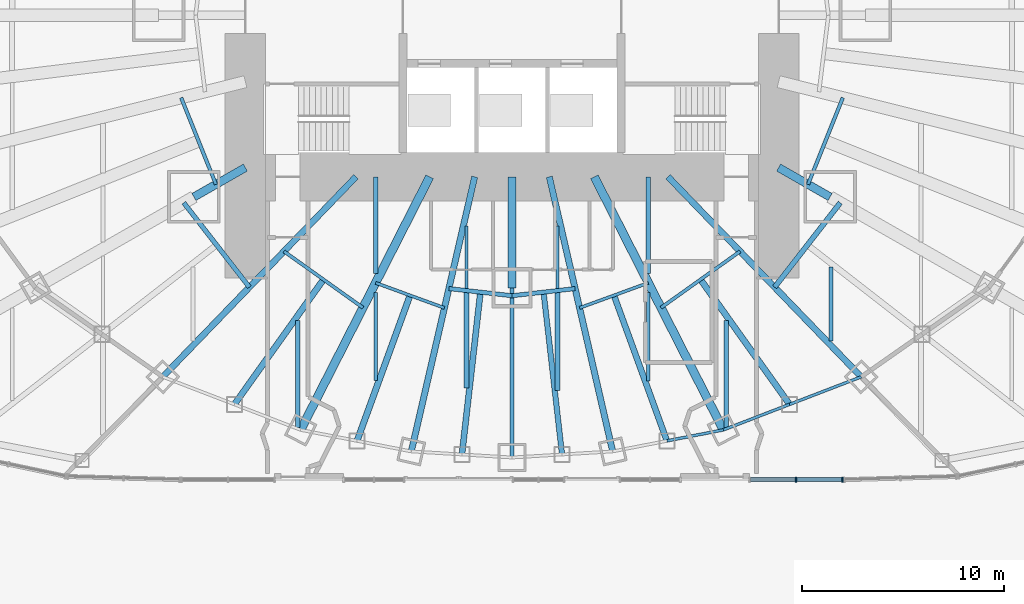
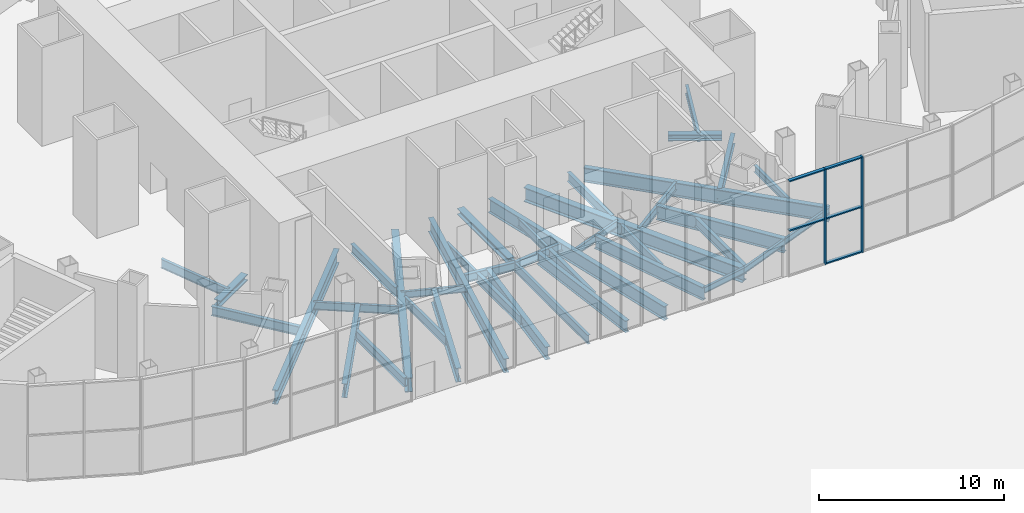
# One storey, part 4 of 47: 40 beams, 7 members, 1 element without a shape of its own.
"""IFC4 building model written with IfcOpenShell, lengths in metres."""

import ifcopenshell
import ifcopenshell.guid

model = None  # the IFC model being written
_history = None  # IfcOwnerHistory: only IFC2X3 demands one
_inside = {}  # id of a spatial element -> (the spatial element, [elements in it])
_under = {}  # id of a project, library or spatial element -> (it, [spatial elements below it])
_declared = {}  # id of a project -> (the project, [libraries it declares])
_typed = {}  # id of a type object -> (the type object, [elements of that type])
_made_of = {}  # id of a material, layer set ... -> (it, [elements and type objects made of it])


def new_model(schema):
    """Start an empty IFC model of exactly this schema.

    Asked for "IFC4X3", IfcOpenShell would pick the latest addendum, in which some entities
    have other attributes; the version numbers below select the first issue.
    IFC2X3 requires an IfcOwnerHistory on every rooted entity: one is made here for all.
    """
    global model, _history
    if schema == "IFC4X3":
        model = ifcopenshell.file(schema_version=(4, 3, 0, 0))
    else:
        model = ifcopenshell.file(schema=schema)
    _inside.clear()
    _under.clear()
    _declared.clear()
    _typed.clear()
    _made_of.clear()
    _history = None
    if model.schema == "IFC2X3":
        org = make("IfcOrganization", Name="unknown")
        user = make(
            "IfcPersonAndOrganization",
            ThePerson=make("IfcPerson", FamilyName="unknown"),
            TheOrganization=org,
        )
        app = make(
            "IfcApplication",
            ApplicationDeveloper=org,
            Version="unknown",
            ApplicationFullName="unknown",
            ApplicationIdentifier="unknown",
        )
        _history = make(
            "IfcOwnerHistory",
            OwningUser=user,
            OwningApplication=app,
            ChangeAction="ADDED",
            CreationDate=0,
        )
    return model


def make(cls, **values):
    """One entity of the class cls with the attributes given. An attribute that is None is left unset."""
    return model.create_entity(
        cls, **{name: value for name, value in values.items() if value is not None}
    )


def rooted(cls, **values):
    """An entity with a GlobalId (a new one), such as an element, a storey or a relation."""
    return make(cls, GlobalId=ifcopenshell.guid.new(), OwnerHistory=_history, **values)


def si_unit(unit_type, name, prefix=None):
    """IfcSIUnit, for example si_unit("LENGTHUNIT", "METRE", prefix="MILLI")."""
    return make("IfcSIUnit", UnitType=unit_type, Prefix=prefix, Name=name)


def assignment(units):
    """IfcUnitAssignment: the units of a project."""
    return None if units is None else make("IfcUnitAssignment", Units=units)


def point(xyz):
    """IfcCartesianPoint."""
    return None if xyz is None else make("IfcCartesianPoint", Coordinates=xyz)


def direction(xyz):
    """IfcDirection."""
    return None if xyz is None else make("IfcDirection", DirectionRatios=xyz)


def frame(location, z_axis=None, x_axis=None):
    """IfcAxis2Placement3D, a coordinate frame: its origin and axes. An axis left out is left unset."""
    return make(
        "IfcAxis2Placement3D",
        Location=point(location),
        Axis=direction(z_axis),
        RefDirection=direction(x_axis),
    )


def frame_2d(location, x_axis=None):
    """IfcAxis2Placement2D, a coordinate frame in the plane: its origin and x axis."""
    return make(
        "IfcAxis2Placement2D", Location=point(location), RefDirection=direction(x_axis)
    )


def origin():
    """The frame at (0, 0, 0) with its axes left unset."""
    return frame((0.0, 0.0, 0.0))


def origin_2d():
    """The frame at (0, 0) in the plane with its x axis left unset."""
    return frame_2d((0.0, 0.0))


def place(relative_to, where):
    """IfcLocalPlacement: puts the frame where relative to a parent placement (None: the world)."""
    return make(
        "IfcLocalPlacement", PlacementRelTo=relative_to, RelativePlacement=where
    )


def context(
    kind, dimensions, precision=None, world=None, true_north=None, identifier=None
):
    """IfcGeometricRepresentationContext, for example the 3D "Model" context."""
    return make(
        "IfcGeometricRepresentationContext",
        ContextIdentifier=identifier,
        ContextType=kind,
        CoordinateSpaceDimension=dimensions,
        Precision=precision,
        WorldCoordinateSystem=world,
        TrueNorth=true_north,
    )


def subcontext(parent, identifier, kind, view, scale=None):
    """IfcGeometricRepresentationSubContext, for example "Body" below "Model"."""
    return make(
        "IfcGeometricRepresentationSubContext",
        ContextIdentifier=identifier,
        ContextType=kind,
        ParentContext=parent,
        TargetScale=scale,
        TargetView=view,
    )


def project(units=None, contexts=None):
    """IfcProject with its units and contexts."""
    return rooted(
        "IfcProject",
        Name="project",
        RepresentationContexts=contexts,
        UnitsInContext=assignment(units),
    )


def spatial(cls, under=None, at=None, **own):
    """A site, building, storey or space (cls), placed at a placement, below another one or the project."""
    s = rooted(cls, ObjectPlacement=at, **own)
    if under is not None:
        _under.setdefault(under.id(), (under, []))[1].append(s)
    return s


def profile(cls, at=None, kind="AREA", **sizes):
    """A parametric profile (cls). Its sizes go by their IFC names, for example OverallWidth=200.0."""
    return make(cls, ProfileType=kind, Position=at, **sizes)


def rectangle(**sizes):
    """IfcRectangleProfileDef."""
    return profile("IfcRectangleProfileDef", **sizes)


def i_section(**sizes):
    """IfcIShapeProfileDef."""
    return profile("IfcIShapeProfileDef", **sizes)


def extrude(swept, where, along, depth):
    """IfcExtrudedAreaSolid: the profile swept, set in the frame where, extruded along a direction by depth."""
    return make(
        "IfcExtrudedAreaSolid",
        SweptArea=swept,
        Position=where,
        ExtrudedDirection=direction(along),
        Depth=depth,
    )


def shape(context_of_items, identifier, shape_type, items):
    """IfcShapeRepresentation: the items that make up one representation, for example the "Body"."""
    return make(
        "IfcShapeRepresentation",
        ContextOfItems=context_of_items,
        RepresentationIdentifier=identifier,
        RepresentationType=shape_type,
        Items=items,
    )


def material(Name=None, Category=None):
    """IfcMaterial."""
    return make("IfcMaterial", Name=Name, Category=Category)


def material_profile(
    of_material, cross_section, Name=None, Category=None, Priority=None
):
    """IfcMaterialProfile: a cross section and its material."""
    return make(
        "IfcMaterialProfile",
        Name=Name,
        Material=of_material,
        Profile=cross_section,
        Priority=Priority,
        Category=Category,
    )


def profile_set(profiles, Name=None, composite=None):
    """IfcMaterialProfileSet."""
    return make(
        "IfcMaterialProfileSet",
        Name=Name,
        MaterialProfiles=profiles,
        CompositeProfile=composite,
    )


def made_of(thing, what):
    """Note that an element or type object is made of a material, layer set ...; save() writes the relation."""
    if what is not None:
        _made_of.setdefault(what.id(), (what, []))[1].append(thing)
    return thing


def type_object(cls, material=None, **own):
    """A type object (cls), such as IfcWallType, which elements share."""
    return made_of(rooted(cls, **own), material)


def element(
    cls,
    number,
    at=None,
    inside=None,
    cuts=None,
    type_object=None,
    material=None,
    context=None,
    identifier="Body",
    shape_type=None,
    held_by="IfcProductDefinitionShape",
    body=None,
    shapes=None,
    **own,
):
    """One element of the class cls, such as IfcWall. Its Tag is "e" and its number.

    at: its placement. inside: the storey or other place that contains it. cuts: it is an
    opening in that element (IfcRelVoidsElement). A single representation is given by context,
    identifier, shape_type and body (its items); several are given by shapes. held_by: the class
    of the entity that holds the representations. save() writes the other relations.
    """
    e = rooted(cls, Tag="e%d" % number, ObjectPlacement=at, **own)
    if body is not None:
        shapes = [shape(context, identifier, shape_type, body)]
    if shapes is not None:
        e.Representation = make(held_by, Representations=shapes)
    if inside is not None:
        _inside.setdefault(inside.id(), (inside, []))[1].append(e)
    if cuts is not None:
        rooted(
            "IfcRelVoidsElement", RelatingBuildingElement=cuts, RelatedOpeningElement=e
        )
    if type_object is not None:
        _typed.setdefault(type_object.id(), (type_object, []))[1].append(e)
    return made_of(e, material)


def aggregate(whole, parts):
    """IfcRelAggregates: a whole, such as a stair, and the parts it consists of."""
    return rooted("IfcRelAggregates", RelatingObject=whole, RelatedObjects=parts)


def save(model, path):
    """Write the relations noted so far, then the file.

    IfcRelAggregates (storeys below a building ...), IfcRelContainedInSpatialStructure (elements
    in a storey), IfcRelDefinesByType, IfcRelAssociatesMaterial and IfcRelDeclares: one each for
    every whole, place, type object, material and project.
    """
    for whole, parts in _under.values():
        aggregate(whole, parts)
    for where, things in _inside.values():
        rooted(
            "IfcRelContainedInSpatialStructure",
            RelatedElements=things,
            RelatingStructure=where,
        )
    for kind, things in _typed.values():
        rooted("IfcRelDefinesByType", RelatedObjects=things, RelatingType=kind)
    for what, things in _made_of.values():
        rooted("IfcRelAssociatesMaterial", RelatedObjects=things, RelatingMaterial=what)
    for by, libraries in _declared.values():
        rooted("IfcRelDeclares", RelatingContext=by, RelatedDefinitions=libraries)
    model.write(path)


model = new_model("IFC4")

# Units and contexts
model_context = context("Model", 3, precision=1e-05, world=origin(), true_north=direction((0.0, 1.0)))
body_context = subcontext(model_context, "Body", "Model", "MODEL_VIEW")
ifc_project = project(units=[si_unit("LENGTHUNIT", "METRE"), si_unit("AREAUNIT", "SQUARE_METRE"), si_unit("VOLUMEUNIT", "CUBIC_METRE"), si_unit("PLANEANGLEUNIT", "RADIAN"), si_unit("MASSUNIT", "GRAM", prefix="KILO")], contexts=[model_context])

# Site, building, storey
site_placement = place(None, origin())
site = spatial("IfcSite", under=ifc_project, at=site_placement, CompositionType="ELEMENT")
building_placement = place(site_placement, origin())
building = spatial("IfcBuilding", under=site, at=building_placement, Name="Lantaw Convention Tower", CompositionType="ELEMENT")
storey_placement = place(building_placement, origin())
storey = spatial("IfcBuildingStorey", under=building, at=storey_placement, Name="L00", CompositionType="ELEMENT", Elevation=0.0)

# Beams
ifc_material_1 = material(Name="Steel ASTM A992", Category="steel")
ifc_material_profile_1 = material_profile(ifc_material_1, i_section(OverallWidth=0.140380859375, OverallDepth=0.40380859375, WebThickness=0.007080078125, FlangeThickness=0.01123046875, FilletRadius=0.01025390625, at=origin_2d()), Name="W16X31")
ifc_profile_set_1 = profile_set([ifc_material_profile_1], Name="Steel ASTM A992")
beam_type_1 = type_object("IfcBeamType", Name="Beam E W16X31", PredefinedType="SPANDREL", material=ifc_profile_set_1)
beam_1_placement = place(storey_placement, frame((7.671142578125, -21.076416015625, -0.65185546875), z_axis=(0.98163593748, 0.190763954266, 0.0), x_axis=(-0.190763954266, 0.98163593748, 0.0)))
element("IfcBeam", 1, at=beam_1_placement, inside=storey, type_object=beam_type_1, Name="Edge beam 20", PredefinedType="SPANDREL", context=body_context, shape_type="SweptSolid", body=[
    extrude(i_section(OverallWidth=0.140380859375, OverallDepth=0.40380859375, WebThickness=0.007080078125, FlangeThickness=0.01123046875, FilletRadius=0.01025390625, at=origin_2d()), origin(), (0.0, 0.0, 1.0), 2.84375),
])
beam_2_placement = place(storey_placement, frame((10.462646484375, -20.533935546875, -0.65185546875), z_axis=(0.933241815012, 0.359248820058, 0.0), x_axis=(-0.359248820058, 0.933241815012, 0.0)))
element("IfcBeam", 2, at=beam_2_placement, inside=storey, type_object=beam_type_1, Name="Edge beam 21", PredefinedType="SPANDREL", context=body_context, shape_type="SweptSolid", body=[
    extrude(i_section(OverallWidth=0.140380859375, OverallDepth=0.40380859375, WebThickness=0.007080078125, FlangeThickness=0.01123046875, FilletRadius=0.01025390625, at=origin_2d()), origin(), (0.0, 0.0, 1.0), 3.517578125),
])
beam_3_placement = place(storey_placement, frame((13.745361328125, -19.270263671875, -0.65185546875), z_axis=(0.933224646415, 0.359293416754, 0.0), x_axis=(-0.359293416754, 0.933224646415, 0.0)))
element("IfcBeam", 3, at=beam_3_placement, inside=storey, type_object=beam_type_1, Name="Edge beam 21", PredefinedType="SPANDREL", context=body_context, shape_type="SweptSolid", body=[
    extrude(i_section(OverallWidth=0.140380859375, OverallDepth=0.40380859375, WebThickness=0.007080078125, FlangeThickness=0.01123046875, FilletRadius=0.01025390625, at=origin_2d()), origin(), (0.0, 0.0, 1.0), 3.799072265625),
])
ifc_material_profile_2 = material_profile(ifc_material_1, i_section(OverallWidth=0.177978515625, OverallDepth=0.599365234375, WebThickness=0.010009765625, FlangeThickness=0.012939453125, FilletRadius=0.012939453125, at=origin_2d()), Name="W24X55")
ifc_profile_set_2 = profile_set([ifc_material_profile_2], Name="Steel ASTM A992")
beam_type_2 = type_object("IfcBeamType", Name="Beam G W24X55", PredefinedType="BEAM", material=ifc_profile_set_2)
beam_4_placement = place(storey_placement, frame((0.0, -13.5, -0.749755859375), z_axis=(0.0, -1.0, 0.0), x_axis=(1.0, 0.0, 0.0)))
element("IfcBeam", 4, at=beam_4_placement, inside=storey, type_object=beam_type_2, Name="Floor girder on ray 19", PredefinedType="BEAM", context=body_context, shape_type="SweptSolid", body=[
    extrude(i_section(OverallWidth=0.177978515625, OverallDepth=0.599365234375, WebThickness=0.010009765625, FlangeThickness=0.012939453125, FilletRadius=0.012939453125, at=origin_2d()), origin(), (0.0, 0.0, 1.0), 8.39990234375),
])
ifc_material_profile_3 = material_profile(ifc_material_1, i_section(OverallWidth=0.2666015625, OverallDepth=0.76953125, WebThickness=0.015625, FlangeThickness=0.025390625, FilletRadius=0.0126953125, at=origin_2d()), Name="W30X132")
ifc_profile_set_3 = profile_set([ifc_material_profile_3], Name="Steel ASTM A992")
beam_type_3 = type_object("IfcBeamType", Name="Beam G W30X132", PredefinedType="BEAM", material=ifc_profile_set_3)
beam_5_placement = place(storey_placement, frame((1.5625, -13.713134765625, -0.834716796875), z_axis=(0.113183957156, -0.993574049501, 0.0), x_axis=(0.993574049501, 0.113183957156, 0.0)))
element("IfcBeam", 5, at=beam_5_placement, inside=storey, type_object=beam_type_3, Name="Floor girder on bisector 19", PredefinedType="BEAM", context=body_context, shape_type="SweptSolid", body=[
    extrude(i_section(OverallWidth=0.2666015625, OverallDepth=0.76953125, WebThickness=0.015625, FlangeThickness=0.025390625, FilletRadius=0.0126953125, at=origin_2d()), origin(), (0.0, 0.0, 1.0), 8.0888671875),
])
ifc_material_profile_4 = material_profile(ifc_material_1, i_section(OverallWidth=0.2919921875, OverallDepth=0.845703125, WebThickness=0.015380859375, FlangeThickness=0.0244140625, FilletRadius=0.01513671875, at=origin_2d()), Name="W33X141")
ifc_profile_set_4 = profile_set([ifc_material_profile_4], Name="Steel ASTM A992")
beam_type_4 = type_object("IfcBeamType", Name="Beam G W33X141", PredefinedType="BEAM", material=ifc_profile_set_4)
beam_6_placement = place(storey_placement, frame((-1.5625, -13.713134765625, -0.872802734375), z_axis=(-0.113183957156, -0.993574049501, 0.0), x_axis=(0.993574049501, -0.113183957156, 0.0)))
element("IfcBeam", 6, at=beam_6_placement, inside=storey, type_object=beam_type_4, Name="Floor girder on bisector 18", PredefinedType="BEAM", context=body_context, shape_type="SweptSolid", body=[
    extrude(i_section(OverallWidth=0.2919921875, OverallDepth=0.845703125, WebThickness=0.015380859375, FlangeThickness=0.0244140625, FilletRadius=0.01513671875, at=origin_2d()), origin(), (0.0, 0.0, 1.0), 8.0888671875),
])
beam_7_placement = place(storey_placement, frame((5.04931640625, -13.873046875, -0.872802734375), z_axis=(0.342021781151, -0.939692024664, 0.0), x_axis=(0.939692024664, 0.342021781151, 0.0)))
element("IfcBeam", 7, at=beam_7_placement, inside=storey, type_object=beam_type_4, Name="Floor girder on bisector 20", PredefinedType="BEAM", context=body_context, shape_type="SweptSolid", body=[
    extrude(i_section(OverallWidth=0.2919921875, OverallDepth=0.845703125, WebThickness=0.015380859375, FlangeThickness=0.0244140625, FilletRadius=0.01513671875, at=origin_2d()), origin(), (0.0, 0.0, 1.0), 7.665771484375),
])
ifc_material_profile_5 = material_profile(ifc_material_1, i_section(OverallWidth=0.307373046875, OverallDepth=0.922119140625, WebThickness=0.018310546875, FlangeThickness=0.030029296875, FilletRadius=0.0126953125, at=origin_2d()), Name="W36X182")
ifc_profile_set_5 = profile_set([ifc_material_profile_5], Name="Steel ASTM A992")
beam_type_5 = type_object("IfcBeamType", Name="Beam G W36X182", PredefinedType="BEAM", material=ifc_profile_set_5)
beam_8_placement = place(storey_placement, frame((-9.335693359375, -13.088134765625, -0.910888671875), z_axis=(-0.580702805158, -0.814115625745, 0.0), x_axis=(0.814115625745, -0.580702805158, 0.0)))
element("IfcBeam", 8, at=beam_8_placement, inside=storey, type_object=beam_type_5, Name="Floor girder on bisector 16", PredefinedType="BEAM", context=body_context, shape_type="SweptSolid", body=[
    extrude(i_section(OverallWidth=0.307373046875, OverallDepth=0.922119140625, WebThickness=0.018310546875, FlangeThickness=0.030029296875, FilletRadius=0.0126953125, at=origin_2d()), origin(), (0.0, 0.0, 1.0), 7.59375),
])
beam_9_placement = place(storey_placement, frame((-5.04931640625, -13.873046875, -0.910888671875), z_axis=(-0.342021781151, -0.939692024664, 0.0), x_axis=(0.939692024664, -0.342021781151, 0.0)))
element("IfcBeam", 9, at=beam_9_placement, inside=storey, type_object=beam_type_5, Name="Floor girder on bisector 17", PredefinedType="BEAM", context=body_context, shape_type="SweptSolid", body=[
    extrude(i_section(OverallWidth=0.307373046875, OverallDepth=0.922119140625, WebThickness=0.018310546875, FlangeThickness=0.030029296875, FilletRadius=0.0126953125, at=origin_2d()), origin(), (0.0, 0.0, 1.0), 7.665771484375),
])
for number, where, z_axis, x_axis, name in (
    (10, (-1.846923828125, -8.0, -0.910888671875), (-0.224952773175, -0.97436966796, 0.0), (0.97436966796, -0.224952773175, 0.0), "Floor girder on ray 18"),
    (11, (1.846923828125, -8.0, -0.910888671875), (0.224952773175, -0.97436966796, 0.0), (0.97436966796, 0.224952773175, 0.0), "Floor girder on ray 20"),
):
    element("IfcBeam", number, at=place(storey_placement, frame(where, z_axis=z_axis, x_axis=x_axis)), inside=storey, type_object=beam_type_5, Name=name, PredefinedType="BEAM", context=body_context, shape_type="SweptSolid", body=[
        extrude(i_section(OverallWidth=0.307373046875, OverallDepth=0.922119140625, WebThickness=0.018310546875, FlangeThickness=0.030029296875, FilletRadius=0.0126953125, at=origin_2d()), origin(), (0.0, 0.0, 1.0), 13.955810546875),
    ])
beam_10_placement = place(storey_placement, frame((9.335693359375, -13.088134765625, -0.910888671875), z_axis=(0.580702805158, -0.814115625745, 0.0), x_axis=(0.814115625745, 0.580702805158, 0.0)))
element("IfcBeam", 12, at=beam_10_placement, inside=storey, type_object=beam_type_5, Name="Floor girder on bisector 21", PredefinedType="BEAM", context=body_context, shape_type="SweptSolid", body=[
    extrude(i_section(OverallWidth=0.307373046875, OverallDepth=0.922119140625, WebThickness=0.018310546875, FlangeThickness=0.030029296875, FilletRadius=0.0126953125, at=origin_2d()), origin(), (0.0, 0.0, 1.0), 7.59375),
])
ifc_material_profile_6 = material_profile(ifc_material_1, i_section(OverallWidth=0.307373046875, OverallDepth=0.9423828125, WebThickness=0.022216796875, FlangeThickness=0.039794921875, FilletRadius=0.0126953125, at=origin_2d()), Name="W36X232")
ifc_profile_set_6 = profile_set([ifc_material_profile_6], Name="Steel ASTM A992")
beam_type_6 = type_object("IfcBeamType", Name="Beam G W36X232", PredefinedType="BEAM", material=ifc_profile_set_6)
for number, where, z_axis, x_axis, name in (
    (13, (-7.7255859375, -8.0, -0.921142578125), (-0.694649884291, -0.719347995239, 0.0), (0.719347995239, -0.694649884291, 0.0), "Floor girder on ray 16"),
    (14, (7.7255859375, -8.0, -0.921142578125), (0.694649884291, -0.719347995239, 0.0), (0.719347995239, 0.694649884291, 0.0), "Floor girder on ray 22"),
):
    element("IfcBeam", number, at=place(storey_placement, frame(where, z_axis=z_axis, x_axis=x_axis)), inside=storey, type_object=beam_type_6, Name=name, PredefinedType="BEAM", context=body_context, shape_type="SweptSolid", body=[
        extrude(i_section(OverallWidth=0.307373046875, OverallDepth=0.9423828125, WebThickness=0.022216796875, FlangeThickness=0.039794921875, FilletRadius=0.0126953125, at=origin_2d()), origin(), (0.0, 0.0, 1.0), 13.769775390625),
    ])
ifc_material_profile_7 = material_profile(ifc_material_1, i_section(OverallWidth=0.421630859375, OverallDepth=0.937255859375, WebThickness=0.0224609375, FlangeThickness=0.039794921875, FilletRadius=0.02001953125, at=origin_2d()), Name="W36X282")
ifc_profile_set_7 = profile_set([ifc_material_profile_7], Name="Steel ASTM A992")
beam_type_7 = type_object("IfcBeamType", Name="Beam G W36X282", PredefinedType="BEAM", material=ifc_profile_set_7)
for number, where, z_axis, x_axis, name in (
    (15, (-4.076171875, -8.0, -0.918701171875), (-0.453997016122, -0.891003203896, 0.0), (0.891003203896, -0.453997016122, 0.0), "Floor girder on ray 17"),
    (16, (4.076171875, -8.0, -0.918701171875), (0.453997016122, -0.891003203896, 0.0), (0.891003203896, 0.453997016122, 0.0), "Floor girder on ray 21"),
):
    element("IfcBeam", number, at=place(storey_placement, frame(where, z_axis=z_axis, x_axis=x_axis)), inside=storey, type_object=beam_type_7, Name=name, PredefinedType="BEAM", context=body_context, shape_type="SweptSolid", body=[
        extrude(i_section(OverallWidth=0.421630859375, OverallDepth=0.937255859375, WebThickness=0.0224609375, FlangeThickness=0.039794921875, FilletRadius=0.02001953125, at=origin_2d()), origin(), (0.0, 0.0, 1.0), 14.067138671875),
    ])
ifc_material_profile_8 = material_profile(ifc_material_1, i_section(OverallWidth=0.40380859375, OverallDepth=0.406494140625, WebThickness=0.027099609375, FlangeThickness=0.043701171875, FilletRadius=0.01513671875, at=origin_2d()), Name="W14X233")
ifc_profile_set_8 = profile_set([ifc_material_profile_8], Name="Steel ASTM A992")
beam_type_8 = type_object("IfcBeamType", Name="Beam GM W14X233", PredefinedType="BEAM", material=ifc_profile_set_8)
beam_11_placement = place(storey_placement, frame((-13.199951171875, -7.54296875, -0.6533203125), z_axis=(-0.868263603466, -0.496103129295, 0.0), x_axis=(0.496103129295, -0.868263603466, 0.0)))
element("IfcBeam", 17, at=beam_11_placement, inside=storey, type_object=beam_type_8, Name="Core link beam on ray 15", PredefinedType="BEAM", context=body_context, shape_type="SweptSolid", body=[
    extrude(i_section(OverallWidth=0.40380859375, OverallDepth=0.406494140625, WebThickness=0.027099609375, FlangeThickness=0.043701171875, FilletRadius=0.01513671875, at=origin_2d()), origin(), (0.0, 0.0, 1.0), 2.93701171875),
])
beam_12_placement = place(storey_placement, frame((0.0, -8.0, -0.6533203125), z_axis=(0.0, -1.0, 0.0), x_axis=(1.0, 0.0, 0.0)))
element("IfcBeam", 18, at=beam_12_placement, inside=storey, type_object=beam_type_8, Name="Core link beam on ray 19", PredefinedType="BEAM", context=body_context, shape_type="SweptSolid", body=[
    extrude(i_section(OverallWidth=0.40380859375, OverallDepth=0.406494140625, WebThickness=0.027099609375, FlangeThickness=0.043701171875, FilletRadius=0.01513671875, at=origin_2d()), origin(), (0.0, 0.0, 1.0), 5.5),
])
beam_13_placement = place(storey_placement, frame((13.199951171875, -7.54296875, -0.6533203125), z_axis=(0.868263603466, -0.496103129295, 0.0), x_axis=(0.496103129295, 0.868263603466, 0.0)))
element("IfcBeam", 19, at=beam_13_placement, inside=storey, type_object=beam_type_8, Name="Core link beam on ray 23", PredefinedType="BEAM", context=body_context, shape_type="SweptSolid", body=[
    extrude(i_section(OverallWidth=0.40380859375, OverallDepth=0.406494140625, WebThickness=0.027099609375, FlangeThickness=0.043701171875, FilletRadius=0.01513671875, at=origin_2d()), origin(), (0.0, 0.0, 1.0), 2.93701171875),
])
ifc_material_profile_9 = material_profile(ifc_material_1, i_section(OverallWidth=0.15234375, OverallDepth=0.449462890625, WebThickness=0.007568359375, FlangeThickness=0.0107421875, FilletRadius=0.01025390625, at=origin_2d()), Name="W18X35")
ifc_profile_set_9 = profile_set([ifc_material_profile_9], Name="Steel ASTM A992")
beam_type_9 = type_object("IfcBeamType", Name="Beam HC W18X35", PredefinedType="BEAM", material=ifc_profile_set_9)
for number, where, z_axis, x_axis, name in (
    (20, (-6.752685546875, -13.253173828125, -0.6748046875), (0.939689171859, -0.342029619025, 0.0), (0.342029619025, 0.939689171859, 0.0), "Collar beam on bisector 17"),
    (21, (3.345947265625, -14.4931640625, -0.6748046875), (0.939689171859, 0.342029619025, 0.0), (-0.342029619025, 0.939689171859, 0.0), "Collar beam on bisector 20"),
):
    element("IfcBeam", number, at=place(storey_placement, frame(where, z_axis=z_axis, x_axis=x_axis)), inside=storey, type_object=beam_type_9, Name=name, PredefinedType="BEAM", context=body_context, shape_type="SweptSolid", body=[
        extrude(i_section(OverallWidth=0.15234375, OverallDepth=0.449462890625, WebThickness=0.007568359375, FlangeThickness=0.0107421875, FilletRadius=0.01025390625, at=origin_2d()), origin(), (0.0, 0.0, 1.0), 3.62548828125),
    ])
ifc_material_profile_10 = material_profile(ifc_material_1, i_section(OverallWidth=0.1650390625, OverallDepth=0.52587890625, WebThickness=0.0087890625, FlangeThickness=0.011474609375, FilletRadius=0.0126953125, at=origin_2d()), Name="W21X44")
ifc_profile_set_10 = profile_set([ifc_material_profile_10], Name="Steel ASTM A992")
beam_type_10 = type_object("IfcBeamType", Name="Beam HC W21X44", PredefinedType="BEAM", material=ifc_profile_set_10)
for number, where, z_axis, x_axis, name in (
    (22, (-11.291748046875, -11.69287109375, -0.712890625), (0.814110909588, -0.580709416912, 0.0), (0.580709416912, 0.814110909588, 0.0), "Collar beam on bisector 16"),
    (23, (7.379638671875, -14.4833984375, -0.712890625), (0.814110909588, 0.580709416912, 0.0), (-0.580709416912, 0.814110909588, 0.0), "Collar beam on bisector 21"),
):
    element("IfcBeam", number, at=place(storey_placement, frame(where, z_axis=z_axis, x_axis=x_axis)), inside=storey, type_object=beam_type_10, Name=name, PredefinedType="BEAM", context=body_context, shape_type="SweptSolid", body=[
        extrude(i_section(OverallWidth=0.1650390625, OverallDepth=0.52587890625, WebThickness=0.0087890625, FlangeThickness=0.011474609375, FilletRadius=0.0126953125, at=origin_2d()), origin(), (0.0, 0.0, 1.0), 4.805419921875),
    ])
ifc_material_profile_11 = material_profile(ifc_material_1, i_section(OverallWidth=0.2099609375, OverallDepth=0.535888671875, WebThickness=0.010986328125, FlangeThickness=0.017333984375, FilletRadius=0.012939453125, at=origin_2d()), Name="W21X68")
ifc_profile_set_11 = profile_set([ifc_material_profile_11], Name="Steel ASTM A992")
beam_type_11 = type_object("IfcBeamType", Name="Beam HC W21X68", PredefinedType="BEAM", material=ifc_profile_set_11)
for number, where, z_axis, x_axis, name in (
    (24, (-3.124755859375, -13.534912109375, -0.718017578125), (0.99356540907, -0.113259780595, 0.0), (0.113259780595, 0.99356540907, 0.0), "Collar beam on bisector 18"),
    (25, (0.0, -13.89111328125, -0.718017578125), (0.99356540907, 0.113259780595, 0.0), (-0.113259780595, 0.99356540907, 0.0), "Collar beam on bisector 19"),
):
    element("IfcBeam", number, at=place(storey_placement, frame(where, z_axis=z_axis, x_axis=x_axis)), inside=storey, type_object=beam_type_11, Name=name, PredefinedType="BEAM", context=body_context, shape_type="SweptSolid", body=[
        extrude(i_section(OverallWidth=0.2099609375, OverallDepth=0.535888671875, WebThickness=0.010986328125, FlangeThickness=0.017333984375, FilletRadius=0.012939453125, at=origin_2d()), origin(), (0.0, 0.0, 1.0), 3.14501953125),
    ])
ifc_material_profile_12 = material_profile(ifc_material_1, i_section(OverallWidth=0.177978515625, OverallDepth=0.599365234375, WebThickness=0.010009765625, FlangeThickness=0.012939453125, FilletRadius=0.012939453125, at=origin_2d()), Name="W24X55")
ifc_profile_set_12 = profile_set([ifc_material_profile_12], Name="Steel ASTM A992")
beam_type_12 = type_object("IfcBeamType", Name="Beam HC W24X55", PredefinedType="BEAM", material=ifc_profile_set_12)
for number, where, z_axis, x_axis, name in (
    (26, (-16.381591796875, -4.08447265625, -0.749755859375), (0.372591792929, -0.927995342576, 0.0), (0.927995342576, 0.372591792929, 0.0), "Collar beam on bisector 14"),
    (27, (14.658447265625, -8.376220703125, -0.749755859375), (0.372591792929, 0.927995342576, 0.0), (-0.927995342576, 0.372591792929, 0.0), "Collar beam on bisector 23"),
):
    element("IfcBeam", number, at=place(storey_placement, frame(where, z_axis=z_axis, x_axis=x_axis)), inside=storey, type_object=beam_type_12, Name=name, PredefinedType="BEAM", context=body_context, shape_type="SweptSolid", body=[
        extrude(i_section(OverallWidth=0.177978515625, OverallDepth=0.599365234375, WebThickness=0.010009765625, FlangeThickness=0.012939453125, FilletRadius=0.012939453125, at=origin_2d()), origin(), (0.0, 0.0, 1.0), 4.624755859375),
    ])
ifc_material_profile_13 = material_profile(ifc_material_1, i_section(OverallWidth=0.22900390625, OverallDepth=0.612060546875, WebThickness=0.011962890625, FlangeThickness=0.01953125, FilletRadius=0.0126953125, at=origin_2d()), Name="W24X84")
ifc_profile_set_13 = profile_set([ifc_material_profile_13], Name="Steel ASTM A992")
beam_type_13 = type_object("IfcBeamType", Name="Beam HC W24X84", PredefinedType="BEAM", material=ifc_profile_set_13)
beam_14_placement = place(storey_placement, frame((-16.2529296875, -9.287353515625, -0.756103515625), z_axis=(0.613915067401, -0.789372085913, 0.0), x_axis=(0.789372085913, 0.613915067401, 0.0)))
element("IfcBeam", 28, at=beam_14_placement, inside=storey, type_object=beam_type_13, Name="Collar beam on bisector 15", PredefinedType="BEAM", context=body_context, shape_type="SweptSolid", body=[
    extrude(i_section(OverallWidth=0.22900390625, OverallDepth=0.612060546875, WebThickness=0.011962890625, FlangeThickness=0.01953125, FilletRadius=0.0126953125, at=origin_2d()), origin(), (0.0, 0.0, 1.0), 5.293212890625),
])
ifc_material_profile_14 = material_profile(ifc_material_1, i_section(OverallWidth=0.256591796875, OverallDepth=0.693359375, WebThickness=0.014404296875, FlangeThickness=0.023681640625, FilletRadius=0.01513671875, at=origin_2d()), Name="W27X114")
ifc_profile_set_14 = profile_set([ifc_material_profile_14], Name="Steel ASTM A992")
beam_type_14 = type_object("IfcBeamType", Name="Beam HC W27X114", PredefinedType="BEAM", material=ifc_profile_set_14)
beam_15_placement = place(storey_placement, frame((13.003662109375, -13.465576171875, -0.796630859375), z_axis=(0.613886325717, 0.789394438223, 0.0), x_axis=(-0.789394438223, 0.613886325717, 0.0)))
element("IfcBeam", 29, at=beam_15_placement, inside=storey, type_object=beam_type_14, Name="Collar beam on bisector 22", PredefinedType="BEAM", context=body_context, shape_type="SweptSolid", body=[
    extrude(i_section(OverallWidth=0.256591796875, OverallDepth=0.693359375, WebThickness=0.014404296875, FlangeThickness=0.023681640625, FilletRadius=0.01513671875, at=origin_2d()), origin(), (0.0, 0.0, 1.0), 5.29296875),
])
ifc_material_profile_15 = material_profile(ifc_material_1, i_section(OverallWidth=0.1904296875, OverallDepth=0.457275390625, WebThickness=0.009033203125, FlangeThickness=0.014404296875, FilletRadius=0.01025390625, at=origin_2d()), Name="W18X50")
ifc_profile_set_15 = profile_set([ifc_material_profile_15], Name="Steel ASTM A992")
beam_type_15 = type_object("IfcBeamType", Name="Beam J W18X50", PredefinedType="JOIST", material=ifc_profile_set_15)
beam_16_placement = place(storey_placement, frame((15.800048828125, -16.14013671875, -0.6787109375), z_axis=(0.0, 1.0, 0.0), x_axis=(-1.0, 0.0, 0.0)))
element("IfcBeam", 30, at=beam_16_placement, inside=storey, type_object=beam_type_15, Name="Floor joist", PredefinedType="JOIST", context=body_context, shape_type="SweptSolid", body=[
    extrude(i_section(OverallWidth=0.1904296875, OverallDepth=0.457275390625, WebThickness=0.009033203125, FlangeThickness=0.014404296875, FilletRadius=0.01025390625, at=origin_2d()), origin(), (0.0, 0.0, 1.0), 3.66748046875),
])
ifc_material_profile_16 = material_profile(ifc_material_1, i_section(OverallWidth=0.1650390625, OverallDepth=0.52587890625, WebThickness=0.0087890625, FlangeThickness=0.011474609375, FilletRadius=0.0126953125, at=origin_2d()), Name="W21X44")
ifc_profile_set_16 = profile_set([ifc_material_profile_16], Name="Steel ASTM A992")
beam_type_16 = type_object("IfcBeamType", Name="Beam J W21X44", PredefinedType="JOIST", material=ifc_profile_set_16)
for number, where, z_axis, x_axis, name in (
    (31, (-2.25, -13.529052734375, -0.712890625), (0.0, 1.0, 0.0), (-1.0, 0.0, 0.0), "Floor joist"),
    (32, (2.25, -13.529052734375, -0.712890625), (0.0, 1.0, 0.0), (-1.0, 0.0, 0.0), "Floor joist"),
):
    element("IfcBeam", number, at=place(storey_placement, frame(where, z_axis=z_axis, x_axis=x_axis)), inside=storey, type_object=beam_type_16, Name=name, PredefinedType="JOIST", context=body_context, shape_type="SweptSolid", body=[
        extrude(i_section(OverallWidth=0.1650390625, OverallDepth=0.52587890625, WebThickness=0.0087890625, FlangeThickness=0.011474609375, FilletRadius=0.0126953125, at=origin_2d()), origin(), (0.0, 0.0, 1.0), 3.10009765625),
    ])
ifc_material_profile_17 = material_profile(ifc_material_1, i_section(OverallWidth=0.177978515625, OverallDepth=0.599365234375, WebThickness=0.010009765625, FlangeThickness=0.012939453125, FilletRadius=0.012939453125, at=origin_2d()), Name="W24X55")
ifc_profile_set_17 = profile_set([ifc_material_profile_17], Name="Steel ASTM A992")
beam_type_17 = type_object("IfcBeamType", Name="Beam J W24X55", PredefinedType="JOIST", material=ifc_profile_set_17)
beam_17_placement = place(storey_placement, frame((-6.75, -18.09619140625, -0.749755859375), z_axis=(0.0, 1.0, 0.0), x_axis=(-1.0, 0.0, 0.0)))
element("IfcBeam", 33, at=beam_17_placement, inside=storey, type_object=beam_type_17, Name="Floor joist", PredefinedType="JOIST", context=body_context, shape_type="SweptSolid", body=[
    extrude(i_section(OverallWidth=0.177978515625, OverallDepth=0.599365234375, WebThickness=0.010009765625, FlangeThickness=0.012939453125, FilletRadius=0.012939453125, at=origin_2d()), origin(), (0.0, 0.0, 1.0), 4.377685546875),
])
beam_18_placement = place(storey_placement, frame((6.75, -18.118408203125, -0.749755859375), z_axis=(0.0, 1.0, 0.0), x_axis=(-1.0, 0.0, 0.0)))
element("IfcBeam", 34, at=beam_18_placement, inside=storey, type_object=beam_type_17, Name="Floor joist", PredefinedType="JOIST", context=body_context, shape_type="SweptSolid", body=[
    extrude(i_section(OverallWidth=0.177978515625, OverallDepth=0.599365234375, WebThickness=0.010009765625, FlangeThickness=0.012939453125, FilletRadius=0.012939453125, at=origin_2d()), origin(), (0.0, 0.0, 1.0), 4.39990234375),
])
ifc_material_profile_18 = material_profile(ifc_material_1, i_section(OverallWidth=0.227783203125, OverallDepth=0.60205078125, WebThickness=0.010498046875, FlangeThickness=0.014892578125, FilletRadius=0.012939453125, at=origin_2d()), Name="W24X68")
ifc_profile_set_18 = profile_set([ifc_material_profile_18], Name="Steel ASTM A992")
beam_type_18 = type_object("IfcBeamType", Name="Beam J W24X68", PredefinedType="JOIST", material=ifc_profile_set_18)
for number, where, z_axis, x_axis, name in (
    (35, (-10.60009765625, -20.40576171875, -0.7509765625), (0.0, 1.0, 0.0), (-1.0, 0.0, 0.0), "Floor joist"),
    (36, (10.60009765625, -20.40576171875, -0.7509765625), (0.0, 1.0, 0.0), (-1.0, 0.0, 0.0), "Floor joist"),
):
    element("IfcBeam", number, at=place(storey_placement, frame(where, z_axis=z_axis, x_axis=x_axis)), inside=storey, type_object=beam_type_18, Name=name, PredefinedType="JOIST", context=body_context, shape_type="SweptSolid", body=[
        extrude(i_section(OverallWidth=0.227783203125, OverallDepth=0.60205078125, WebThickness=0.010498046875, FlangeThickness=0.014892578125, FilletRadius=0.012939453125, at=origin_2d()), origin(), (0.0, 0.0, 1.0), 5.280517578125),
    ])
ifc_material_profile_19 = material_profile(ifc_material_1, i_section(OverallWidth=0.22900390625, OverallDepth=0.612060546875, WebThickness=0.011962890625, FlangeThickness=0.01953125, FilletRadius=0.0126953125, at=origin_2d()), Name="W24X84")
ifc_profile_set_19 = profile_set([ifc_material_profile_19], Name="Steel ASTM A992")
beam_type_19 = type_object("IfcBeamType", Name="Beam J W24X84", PredefinedType="JOIST", material=ifc_profile_set_19)
beam_19_placement = place(storey_placement, frame((-6.75, -12.783203125, -0.756103515625), z_axis=(0.0, 1.0, 0.0), x_axis=(-1.0, 0.0, 0.0)))
element("IfcBeam", 37, at=beam_19_placement, inside=storey, type_object=beam_type_19, Name="Floor joist", PredefinedType="JOIST", context=body_context, shape_type="SweptSolid", body=[
    extrude(i_section(OverallWidth=0.22900390625, OverallDepth=0.612060546875, WebThickness=0.011962890625, FlangeThickness=0.01953125, FilletRadius=0.0126953125, at=origin_2d()), origin(), (0.0, 0.0, 1.0), 4.783203125),
])
beam_20_placement = place(storey_placement, frame((-2.25, -18.457763671875, -0.756103515625), z_axis=(0.0, 1.0, 0.0), x_axis=(-1.0, 0.0, 0.0)))
element("IfcBeam", 38, at=beam_20_placement, inside=storey, type_object=beam_type_19, Name="Floor joist", PredefinedType="JOIST", context=body_context, shape_type="SweptSolid", body=[
    extrude(i_section(OverallWidth=0.22900390625, OverallDepth=0.612060546875, WebThickness=0.011962890625, FlangeThickness=0.01953125, FilletRadius=0.0126953125, at=origin_2d()), origin(), (0.0, 0.0, 1.0), 4.71728515625),
])
beam_21_placement = place(storey_placement, frame((2.25, -18.570068359375, -0.756103515625), z_axis=(0.0, 1.0, 0.0), x_axis=(-1.0, 0.0, 0.0)))
element("IfcBeam", 39, at=beam_21_placement, inside=storey, type_object=beam_type_19, Name="Floor joist", PredefinedType="JOIST", context=body_context, shape_type="SweptSolid", body=[
    extrude(i_section(OverallWidth=0.22900390625, OverallDepth=0.612060546875, WebThickness=0.011962890625, FlangeThickness=0.01953125, FilletRadius=0.0126953125, at=origin_2d()), origin(), (0.0, 0.0, 1.0), 4.82958984375),
])
beam_22_placement = place(storey_placement, frame((6.75, -12.783203125, -0.756103515625), z_axis=(0.0, 1.0, 0.0), x_axis=(-1.0, 0.0, 0.0)))
element("IfcBeam", 40, at=beam_22_placement, inside=storey, type_object=beam_type_19, Name="Floor joist", PredefinedType="JOIST", context=body_context, shape_type="SweptSolid", body=[
    extrude(i_section(OverallWidth=0.22900390625, OverallDepth=0.612060546875, WebThickness=0.011962890625, FlangeThickness=0.01953125, FilletRadius=0.0126953125, at=origin_2d()), origin(), (0.0, 0.0, 1.0), 4.783203125),
])

# Curtain wall, members
ifc_material_2 = material(Name="Aluminium framed curtain wall", Category="aluminium")
curtain_wall_type = type_object("IfcCurtainWallType", Name="Podium storefront curtain wall, pale aluminium", PredefinedType="USERDEFINED", material=ifc_material_2)
curtain_wall_placement = place(storey_placement, origin())
curtain_wall = element("IfcCurtainWall", 41, at=curtain_wall_placement, inside=storey, type_object=curtain_wall_type, Name="Podium storefront curtain wall, pale aluminium L00", ObjectType="STOREFRONT", PredefinedType="USERDEFINED")
ifc_material_3 = material(Name="Aluminium 6063-T6", Category="aluminium")
ifc_material_profile_20 = material_profile(ifc_material_3, rectangle(XDim=0.25, YDim=0.080078125, at=origin_2d()), Name="CW-P mullion 80x250")
ifc_profile_set_20 = profile_set([ifc_material_profile_20], Name="Aluminium 6063-T6")
member_type_1 = type_object("IfcMemberType", Name="CW-P mullion 80x250", PredefinedType="MULLION", material=ifc_profile_set_20)
member_1_placement = place(storey_placement, frame((14.0625, -23.0, 0.0), z_axis=(0.0, 0.0, 1.0), x_axis=(0.0, 1.0, 0.0)))
member_1 = element("IfcMember", 42, at=member_1_placement, type_object=member_type_1, Name="CW-P mullion 2", PredefinedType="MULLION", context=body_context, shape_type="SweptSolid", body=[
    extrude(rectangle(XDim=0.25, YDim=0.080078125, at=origin_2d()), origin(), (0.0, 0.0, 1.0), 6.300048828125),
])
member_2_placement = place(storey_placement, frame((16.36572265625, -23.0, 0.0), z_axis=(0.0, 0.0, 1.0), x_axis=(0.0, 1.0, 0.0)))
member_2 = element("IfcMember", 43, at=member_2_placement, type_object=member_type_1, Name="CW-P mullion 3", PredefinedType="MULLION", context=body_context, shape_type="SweptSolid", body=[
    extrude(rectangle(XDim=0.25, YDim=0.080078125, at=origin_2d()), origin(), (0.0, 0.0, 1.0), 6.300048828125),
])
ifc_material_profile_21 = material_profile(ifc_material_3, rectangle(XDim=0.199951171875, YDim=0.080078125, at=origin_2d()), Name="CW-P transom 80x200")
ifc_profile_set_21 = profile_set([ifc_material_profile_21], Name="Aluminium 6063-T6")
member_type_2 = type_object("IfcMemberType", Name="CW-P transom 80x200", PredefinedType="USERDEFINED", material=ifc_profile_set_21)
member_3_placement = place(storey_placement, frame((11.799072265625, -23.0, 3.0), z_axis=(1.0, 0.0, 0.0), x_axis=(0.0, 1.0, 0.0)))
member_3 = element("IfcMember", 44, at=member_3_placement, type_object=member_type_2, Name="CW-P transom 1.2", ObjectType="TRANSOM", PredefinedType="USERDEFINED", context=body_context, shape_type="SweptSolid", body=[
    extrude(rectangle(XDim=0.199951171875, YDim=0.080078125, at=origin_2d()), origin(), (0.0, 0.0, 1.0), 2.223388671875),
])
member_4_placement = place(storey_placement, frame((11.799072265625, -23.0, 6.260009765625), z_axis=(1.0, 0.0, 0.0), x_axis=(0.0, 1.0, 0.0)))
member_4 = element("IfcMember", 45, at=member_4_placement, type_object=member_type_2, Name="CW-P transom 1.3", ObjectType="TRANSOM", PredefinedType="USERDEFINED", context=body_context, shape_type="SweptSolid", body=[
    extrude(rectangle(XDim=0.199951171875, YDim=0.080078125, at=origin_2d()), origin(), (0.0, 0.0, 1.0), 2.223388671875),
])
member_5_placement = place(storey_placement, frame((14.102294921875, -23.0, 0.0400390625), z_axis=(1.0, 0.0, 0.0), x_axis=(0.0, 1.0, 0.0)))
member_5 = element("IfcMember", 46, at=member_5_placement, type_object=member_type_2, Name="CW-P transom 2.1", ObjectType="TRANSOM", PredefinedType="USERDEFINED", context=body_context, shape_type="SweptSolid", body=[
    extrude(rectangle(XDim=0.199951171875, YDim=0.080078125, at=origin_2d()), origin(), (0.0, 0.0, 1.0), 2.223388671875),
])
member_6_placement = place(storey_placement, frame((14.102294921875, -23.0, 3.0), z_axis=(1.0, 0.0, 0.0), x_axis=(0.0, 1.0, 0.0)))
member_6 = element("IfcMember", 47, at=member_6_placement, type_object=member_type_2, Name="CW-P transom 2.2", ObjectType="TRANSOM", PredefinedType="USERDEFINED", context=body_context, shape_type="SweptSolid", body=[
    extrude(rectangle(XDim=0.199951171875, YDim=0.080078125, at=origin_2d()), origin(), (0.0, 0.0, 1.0), 2.223388671875),
])
member_7_placement = place(storey_placement, frame((14.102294921875, -23.0, 6.260009765625), z_axis=(1.0, 0.0, 0.0), x_axis=(0.0, 1.0, 0.0)))
member_7 = element("IfcMember", 48, at=member_7_placement, type_object=member_type_2, Name="CW-P transom 2.3", ObjectType="TRANSOM", PredefinedType="USERDEFINED", context=body_context, shape_type="SweptSolid", body=[
    extrude(rectangle(XDim=0.199951171875, YDim=0.080078125, at=origin_2d()), origin(), (0.0, 0.0, 1.0), 2.223388671875),
])
aggregate(curtain_wall, [member_1, member_2, member_3, member_4, member_5, member_6, member_7])

save(model, "model.ifc")
